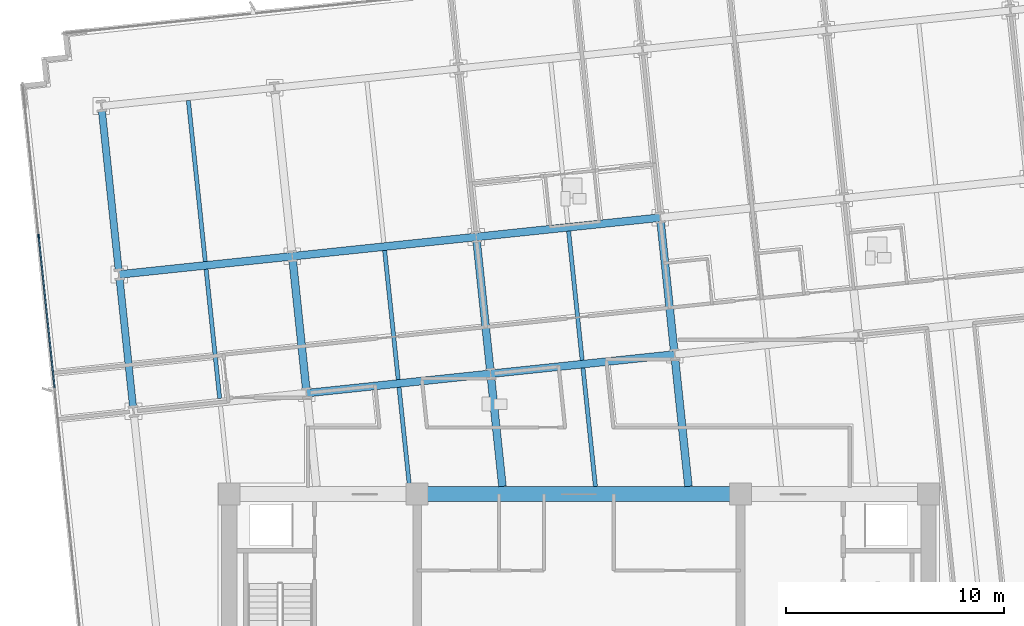
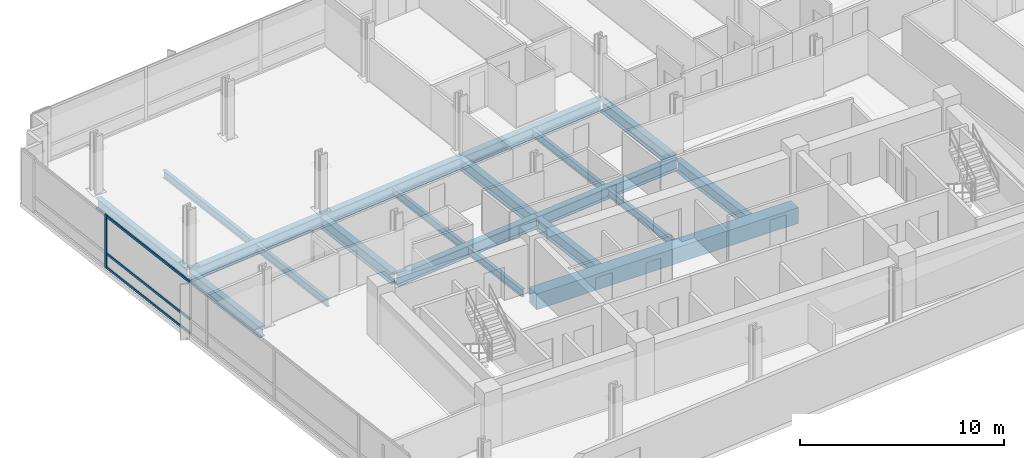
# One storey, part 3 of 17: 19 beams, 4 members, 1 element without a shape of its own.
"""IFC4 building model written with IfcOpenShell, lengths in metres."""

from ifc_helpers import new_model, si_unit, direction, frame, origin, origin_2d, place, context, subcontext, project, spatial, rectangle, i_section, extrude, material, material_profile, profile_set, type_object, element, aggregate, save


model = new_model("IFC4")

# Units and contexts
model_context = context("Model", 3, precision=1e-05, world=origin(), true_north=direction((0.0, 1.0)))
body_context = subcontext(model_context, "Body", "Model", "MODEL_VIEW")
ifc_project = project(units=[si_unit("LENGTHUNIT", "METRE"), si_unit("AREAUNIT", "SQUARE_METRE"), si_unit("VOLUMEUNIT", "CUBIC_METRE"), si_unit("PLANEANGLEUNIT", "RADIAN"), si_unit("MASSUNIT", "GRAM", prefix="KILO")], contexts=[model_context])

# Site, building, storey
site_placement = place(None, origin())
site = spatial("IfcSite", under=ifc_project, at=site_placement, CompositionType="ELEMENT")
building_placement = place(site_placement, origin())
building = spatial("IfcBuilding", under=site, at=building_placement, Name="Solmavex Isthmus Hotel", CompositionType="ELEMENT")
storey_placement = place(building_placement, frame((0.0, 0.0, 90.449951171875)))
storey = spatial("IfcBuildingStorey", under=building, at=storey_placement, Name="L24", CompositionType="ELEMENT", Elevation=90.449951171875)

# Beams
ifc_material_1 = material(Name="Steel ASTM A992 Grade 50", Category="steel")
ifc_material_profile_1 = material_profile(ifc_material_1, i_section(OverallWidth=0.354736328125, OverallDepth=0.695556640625, WebThickness=0.015380859375, FlangeThickness=0.02490234375, FilletRadius=0.017822265625, at=origin_2d()), Name="W27X146")
ifc_profile_set_1 = profile_set([ifc_material_profile_1], Name="Steel ASTM A992 Grade 50")
beam_type_1 = type_object("IfcBeamType", Name="BM-BG-W27X146", PredefinedType="BEAM", material=ifc_profile_set_1)
beam_1_placement = place(storey_placement, frame((-12.458740234375, 2.11865234375, -0.607666015625), z_axis=(0.994521085209, 0.104536171134, 0.0), x_axis=(-0.104536171134, 0.994521085209, 0.0)))
element("IfcBeam", 1, at=beam_1_placement, inside=storey, type_object=beam_type_1, Name="Floor Girder L24-UG08", PredefinedType="BEAM", context=body_context, shape_type="SweptSolid", body=[
    extrude(i_section(OverallWidth=0.354736328125, OverallDepth=0.695556640625, WebThickness=0.015380859375, FlangeThickness=0.02490234375, FilletRadius=0.017822265625, at=origin_2d()), origin(), (0.0, 0.0, 1.0), 8.466064453125),
])
beam_2_placement = place(storey_placement, frame((-4.0390625, 3.003662109375, -0.607666015625), z_axis=(0.994523767887, 0.104510645909, 0.0), x_axis=(-0.104510645909, 0.994523767887, 0.0)))
element("IfcBeam", 2, at=beam_2_placement, inside=storey, type_object=beam_type_1, Name="Floor Girder L24-UG09", PredefinedType="BEAM", context=body_context, shape_type="SweptSolid", body=[
    extrude(i_section(OverallWidth=0.354736328125, OverallDepth=0.695556640625, WebThickness=0.015380859375, FlangeThickness=0.02490234375, FilletRadius=0.017822265625, at=origin_2d()), origin(), (0.0, 0.0, 1.0), 8.4658203125),
])
beam_3_placement = place(storey_placement, frame((-21.04150390625, 7.54931640625, -0.607666015625), z_axis=(0.994523402738, 0.104514120609, 0.0), x_axis=(-0.104514120609, 0.994523402738, 0.0)))
element("IfcBeam", 3, at=beam_3_placement, inside=storey, type_object=beam_type_1, Name="Floor Girder L24-UG13", PredefinedType="BEAM", context=body_context, shape_type="SweptSolid", body=[
    extrude(i_section(OverallWidth=0.354736328125, OverallDepth=0.695556640625, WebThickness=0.015380859375, FlangeThickness=0.02490234375, FilletRadius=0.017822265625, at=origin_2d()), origin(), (0.0, 0.0, 1.0), 7.968017578125),
])
for number, where, z_axis, x_axis, name in (
    (4, (-13.1171875, 8.382080078125, -0.607666015625), (0.994521085209, 0.104536171134, 0.0), (-0.104536171134, 0.994521085209, 0.0), "Floor Girder L24-UG14"),
    (5, (-4.697509765625, 9.26708984375, -0.607666015625), (0.994521085209, 0.104536171134, 0.0), (-0.104536171134, 0.994521085209, 0.0), "Floor Girder L24-UG15"),
):
    element("IfcBeam", number, at=place(storey_placement, frame(where, z_axis=z_axis, x_axis=x_axis)), inside=storey, type_object=beam_type_1, Name=name, PredefinedType="BEAM", context=body_context, shape_type="SweptSolid", body=[
        extrude(i_section(OverallWidth=0.354736328125, OverallDepth=0.695556640625, WebThickness=0.015380859375, FlangeThickness=0.02490234375, FilletRadius=0.017822265625, at=origin_2d()), origin(), (0.0, 0.0, 1.0), 8.466064453125),
    ])
beam_4_placement = place(storey_placement, frame((-12.477294921875, 2.295166015625, -0.607666015625), z_axis=(-0.104545790518, 0.994520074048, 0.0), x_axis=(-0.994520074048, -0.104545790518, 0.0)))
element("IfcBeam", 6, at=beam_4_placement, inside=storey, type_object=beam_type_1, Name="Floor Beam L24-VG30", PredefinedType="BEAM", context=body_context, shape_type="SweptSolid", body=[
    extrude(i_section(OverallWidth=0.354736328125, OverallDepth=0.695556640625, WebThickness=0.015380859375, FlangeThickness=0.02490234375, FilletRadius=0.017822265625, at=origin_2d()), origin(), (0.0, 0.0, 1.0), 5.943115234375),
])
beam_5_placement = place(storey_placement, frame((-3.49755859375, -2.14990234375, -0.607666015625), z_axis=(-0.104496861251, 0.994525216366, 0.0), x_axis=(-0.994525216366, -0.104496861251, 0.0)))
element("IfcBeam", 7, at=beam_5_placement, inside=storey, type_object=beam_type_1, Name="Floor Beam L24-VG33", PredefinedType="BEAM", context=body_context, shape_type="SweptSolid", body=[
    extrude(i_section(OverallWidth=0.354736328125, OverallDepth=0.695556640625, WebThickness=0.015380859375, FlangeThickness=0.02490234375, FilletRadius=0.017822265625, at=origin_2d()), origin(), (0.0, 0.0, 1.0), 5.00439453125),
])
beam_6_placement = place(storey_placement, frame((-4.0576171875, 3.179931640625, -0.607666015625), z_axis=(-0.104545790518, 0.994520074048, 0.0), x_axis=(-0.994520074048, -0.104545790518, 0.0)))
element("IfcBeam", 8, at=beam_6_placement, inside=storey, type_object=beam_type_1, Name="Floor Beam L24-VG34", PredefinedType="BEAM", context=body_context, shape_type="SweptSolid", body=[
    extrude(i_section(OverallWidth=0.354736328125, OverallDepth=0.695556640625, WebThickness=0.015380859375, FlangeThickness=0.02490234375, FilletRadius=0.017822265625, at=origin_2d()), origin(), (0.0, 0.0, 1.0), 5.943115234375),
])
beam_7_placement = place(storey_placement, frame((5.01513671875, -2.14990234375, -0.607666015625), z_axis=(-0.104542482388, 0.994520421799, 0.0), x_axis=(-0.994520421799, -0.104542482388, 0.0)))
element("IfcBeam", 9, at=beam_7_placement, inside=storey, type_object=beam_type_1, Name="Floor Beam L24-VG37", PredefinedType="BEAM", context=body_context, shape_type="SweptSolid", body=[
    extrude(i_section(OverallWidth=0.354736328125, OverallDepth=0.695556640625, WebThickness=0.015380859375, FlangeThickness=0.02490234375, FilletRadius=0.017822265625, at=origin_2d()), origin(), (0.0, 0.0, 1.0), 5.894287109375),
])
beam_8_placement = place(storey_placement, frame((4.362060546875, 4.06494140625, -0.607666015625), z_axis=(-0.104545790518, 0.994520074048, 0.0), x_axis=(-0.994520074048, -0.104545790518, 0.0)))
element("IfcBeam", 10, at=beam_8_placement, inside=storey, type_object=beam_type_1, Name="Floor Beam L24-VG38", PredefinedType="BEAM", context=body_context, shape_type="SweptSolid", body=[
    extrude(i_section(OverallWidth=0.354736328125, OverallDepth=0.695556640625, WebThickness=0.015380859375, FlangeThickness=0.02490234375, FilletRadius=0.017822265625, at=origin_2d()), origin(), (0.0, 0.0, 1.0), 5.943115234375),
])
ifc_material_profile_2 = material_profile(ifc_material_1, i_section(OverallWidth=0.1904296875, OverallDepth=0.456787109375, WebThickness=0.009033203125, FlangeThickness=0.014404296875, FilletRadius=0.0126953125, at=origin_2d()), Name="W18X50")
ifc_profile_set_2 = profile_set([ifc_material_profile_2], Name="Steel ASTM A992 Grade 50")
beam_type_2 = type_object("IfcBeamType", Name="BM-BJ-W18X50", PredefinedType="JOIST", material=ifc_profile_set_2)
beam_9_placement = place(storey_placement, frame((-16.439453125, 1.878662109375, -0.48828125), z_axis=(-0.104545790518, 0.994520074048, 0.0), x_axis=(-0.994520074048, -0.104545790518, 0.0)))
element("IfcBeam", 11, at=beam_9_placement, inside=storey, type_object=beam_type_2, Name="Secondary Floor Joist L24-J03", PredefinedType="JOIST", context=body_context, shape_type="SweptSolid", body=[
    extrude(i_section(OverallWidth=0.1904296875, OverallDepth=0.456787109375, WebThickness=0.009033203125, FlangeThickness=0.014404296875, FilletRadius=0.0126953125, at=origin_2d()), origin(), (0.0, 0.0, 1.0), 5.943115234375),
])
beam_10_placement = place(storey_placement, frame((-17.097900390625, 8.14208984375, -0.48828125), z_axis=(-0.104525307271, 0.994522227072, 0.0), x_axis=(-0.994522227072, -0.104525307271, 0.0)))
element("IfcBeam", 12, at=beam_10_placement, inside=storey, type_object=beam_type_2, Name="Secondary Floor Joist L24-J04", PredefinedType="JOIST", context=body_context, shape_type="SweptSolid", body=[
    extrude(i_section(OverallWidth=0.1904296875, OverallDepth=0.456787109375, WebThickness=0.009033203125, FlangeThickness=0.014404296875, FilletRadius=0.0126953125, at=origin_2d()), origin(), (0.0, 0.0, 1.0), 7.4111328125),
])
beam_11_placement = place(storey_placement, frame((-7.75390625, -2.14990234375, -0.48828125), z_axis=(-0.104517550263, 0.994523042311, 0.0), x_axis=(-0.994523042311, -0.104517550263, 0.0)))
element("IfcBeam", 13, at=beam_11_placement, inside=storey, type_object=beam_type_2, Name="Secondary Floor Joist L24-J06", PredefinedType="JOIST", context=body_context, shape_type="SweptSolid", body=[
    extrude(i_section(OverallWidth=0.1904296875, OverallDepth=0.456787109375, WebThickness=0.009033203125, FlangeThickness=0.014404296875, FilletRadius=0.0126953125, at=origin_2d()), origin(), (0.0, 0.0, 1.0), 4.5595703125),
])
beam_12_placement = place(storey_placement, frame((-8.267578125, 2.737548828125, -0.48828125), z_axis=(-0.104505160346, 0.994524344328, 0.0), x_axis=(-0.994524344328, -0.104505160346, 0.0)))
element("IfcBeam", 14, at=beam_12_placement, inside=storey, type_object=beam_type_2, Name="Secondary Floor Joist L24-J07", PredefinedType="JOIST", context=body_context, shape_type="SweptSolid", body=[
    extrude(i_section(OverallWidth=0.1904296875, OverallDepth=0.456787109375, WebThickness=0.009033203125, FlangeThickness=0.014404296875, FilletRadius=0.0126953125, at=origin_2d()), origin(), (0.0, 0.0, 1.0), 5.943115234375),
])
beam_13_placement = place(storey_placement, frame((0.7587890625, -2.14990234375, -0.48828125), z_axis=(-0.104523862956, 0.99452237887, 0.0), x_axis=(-0.99452237887, -0.104523862956, 0.0)))
element("IfcBeam", 15, at=beam_13_placement, inside=storey, type_object=beam_type_2, Name="Secondary Floor Joist L24-J10", PredefinedType="JOIST", context=body_context, shape_type="SweptSolid", body=[
    extrude(i_section(OverallWidth=0.1904296875, OverallDepth=0.456787109375, WebThickness=0.009033203125, FlangeThickness=0.014404296875, FilletRadius=0.0126953125, at=origin_2d()), origin(), (0.0, 0.0, 1.0), 5.44921875),
])
beam_14_placement = place(storey_placement, frame((0.152099609375, 3.62255859375, -0.48828125), z_axis=(-0.104505160346, 0.994524344328, 0.0), x_axis=(-0.994524344328, -0.104505160346, 0.0)))
element("IfcBeam", 16, at=beam_14_placement, inside=storey, type_object=beam_type_2, Name="Secondary Floor Joist L24-J11", PredefinedType="JOIST", context=body_context, shape_type="SweptSolid", body=[
    extrude(i_section(OverallWidth=0.1904296875, OverallDepth=0.456787109375, WebThickness=0.009033203125, FlangeThickness=0.014404296875, FilletRadius=0.0126953125, at=origin_2d()), origin(), (0.0, 0.0, 1.0), 5.943115234375),
])
ifc_material_2 = material(Name="Concrete C60/75", Category="concrete")
ifc_material_profile_3 = material_profile(ifc_material_2, rectangle(XDim=0.699951171875, YDim=0.949951171875, at=origin_2d()), Name="RC700X950")
ifc_profile_set_3 = profile_set([ifc_material_profile_3], Name="Concrete C60/75")
beam_type_3 = type_object("IfcBeamType", Name="BM-CB-700X950", PredefinedType="BEAM", material=ifc_profile_set_3)
beam_15_placement = place(storey_placement, frame((-7.39990234375, -2.5, -0.73486328125), z_axis=(1.0, 0.0, 0.0), x_axis=(0.0, 1.0, 0.0)))
element("IfcBeam", 17, at=beam_15_placement, inside=storey, type_object=beam_type_3, Name="Core Coupling Beam L24-CB5", PredefinedType="BEAM", context=body_context, shape_type="SweptSolid", body=[
    extrude(rectangle(XDim=0.699951171875, YDim=0.949951171875, at=origin_2d()), origin(), (0.0, 0.0, 1.0), 14.7998046875),
])
ifc_material_profile_4 = material_profile(ifc_material_1, i_section(OverallWidth=0.326416015625, OverallDepth=0.621826171875, WebThickness=0.015380859375, FlangeThickness=0.0244140625, FilletRadius=0.01513671875, at=origin_2d()), Name="W24X131")
ifc_profile_set_4 = profile_set([ifc_material_profile_4], Name="Steel ASTM A992 Grade 50")
beam_type_4 = type_object("IfcBeamType", Name="BM-SP-W24X131", PredefinedType="SPANDREL", material=ifc_profile_set_4)
beam_16_placement = place(storey_placement, frame((-20.401611328125, 1.462158203125, -0.57080078125), z_axis=(-0.104545790518, 0.994520074048, 0.0), x_axis=(-0.994520074048, -0.104545790518, 0.0)))
element("IfcBeam", 18, at=beam_16_placement, inside=storey, type_object=beam_type_4, Name="Floor Beam L24-VG26", PredefinedType="SPANDREL", context=body_context, shape_type="SweptSolid", body=[
    extrude(i_section(OverallWidth=0.326416015625, OverallDepth=0.621826171875, WebThickness=0.015380859375, FlangeThickness=0.0244140625, FilletRadius=0.01513671875, at=origin_2d()), origin(), (0.0, 0.0, 1.0), 5.943115234375),
])
beam_17_placement = place(storey_placement, frame((-21.06005859375, 7.7255859375, -0.57080078125), z_axis=(-0.10452188296, 0.994522586964, 0.0), x_axis=(-0.994522586964, -0.10452188296, 0.0)))
element("IfcBeam", 19, at=beam_17_placement, inside=storey, type_object=beam_type_4, Name="Floor Beam L24-VG27", PredefinedType="SPANDREL", context=body_context, shape_type="SweptSolid", body=[
    extrude(i_section(OverallWidth=0.326416015625, OverallDepth=0.621826171875, WebThickness=0.015380859375, FlangeThickness=0.0244140625, FilletRadius=0.01513671875, at=origin_2d()), origin(), (0.0, 0.0, 1.0), 7.411376953125),
])

# Curtain wall, members
ifc_material_3 = material(Name="Aluminium alloy 6063-T6", Category="aluminium")
curtain_wall_type = type_object("IfcCurtainWallType", Name="CW-SYS-03", PredefinedType="NOTDEFINED", material=ifc_material_3)
curtain_wall_placement = place(storey_placement, origin())
curtain_wall = element("IfcCurtainWall", 20, at=curtain_wall_placement, inside=storey, type_object=curtain_wall_type, Name="Stick Curtain Wall CWL-L24-W1", PredefinedType="NOTDEFINED")
ifc_material_profile_5 = material_profile(ifc_material_3, rectangle(XDim=0.070068359375, YDim=0.179931640625, at=origin_2d()), Name="CWM-70X180")
ifc_profile_set_5 = profile_set([ifc_material_profile_5], Name="Aluminium alloy 6063-T6")
member_type_1 = type_object("IfcMemberType", Name="CW-SYS-03-MUL", PredefinedType="MULLION", material=ifc_profile_set_5)
member_1_placement = place(storey_placement, frame((-24.725341796875, 9.305908203125, 0.0), z_axis=(0.0, 0.0, 1.0), x_axis=(-0.994521893044, -0.104528485381, 0.0)))
member_1 = element("IfcMember", 21, at=member_1_placement, type_object=member_type_1, Name="CW-03 mullion 5", PredefinedType="MULLION", context=body_context, shape_type="SweptSolid", body=[
    extrude(rectangle(XDim=0.070068359375, YDim=0.179931640625, at=origin_2d()), origin(), (0.0, 0.0, 1.0), 3.18994140625),
])
ifc_material_profile_6 = material_profile(ifc_material_3, rectangle(XDim=0.070068359375, YDim=0.139892578125, at=origin_2d()), Name="CWT-70X140")
ifc_profile_set_6 = profile_set([ifc_material_profile_6], Name="Aluminium alloy 6063-T6")
member_type_2 = type_object("IfcMemberType", Name="CW-SYS-03-TRN", PredefinedType="USERDEFINED", material=ifc_profile_set_6)
member_2_placement = place(storey_placement, frame((-23.9951171875, 2.359130859375, 0.070068359375), z_axis=(-0.104542152467, 0.99452045648, 0.0), x_axis=(-0.99452045648, -0.104542152467, 0.0)))
member_2 = element("IfcMember", 22, at=member_2_placement, type_object=member_type_2, Name="CW-03 transom 4.1", ObjectType="TRANSOM", PredefinedType="USERDEFINED", context=body_context, shape_type="SweptSolid", body=[
    extrude(rectangle(XDim=0.070068359375, YDim=0.139892578125, at=origin_2d()), origin(), (0.0, 0.0, 1.0), 6.949951171875),
])
member_3_placement = place(storey_placement, frame((-23.9951171875, 2.359130859375, 0.900146484375), z_axis=(-0.104542152467, 0.99452045648, 0.0), x_axis=(-0.99452045648, -0.104542152467, 0.0)))
member_3 = element("IfcMember", 23, at=member_3_placement, type_object=member_type_2, Name="CW-03 transom 4.2", ObjectType="TRANSOM", PredefinedType="USERDEFINED", context=body_context, shape_type="SweptSolid", body=[
    extrude(rectangle(XDim=0.070068359375, YDim=0.139892578125, at=origin_2d()), origin(), (0.0, 0.0, 1.0), 6.949951171875),
])
member_4_placement = place(storey_placement, frame((-23.9951171875, 2.359130859375, 3.1201171875), z_axis=(-0.104542152467, 0.99452045648, 0.0), x_axis=(-0.99452045648, -0.104542152467, 0.0)))
member_4 = element("IfcMember", 24, at=member_4_placement, type_object=member_type_2, Name="CW-03 transom 4.3", ObjectType="TRANSOM", PredefinedType="USERDEFINED", context=body_context, shape_type="SweptSolid", body=[
    extrude(rectangle(XDim=0.070068359375, YDim=0.139892578125, at=origin_2d()), origin(), (0.0, 0.0, 1.0), 6.949951171875),
])
aggregate(curtain_wall, [member_1, member_2, member_3, member_4])

save(model, "model.ifc")
